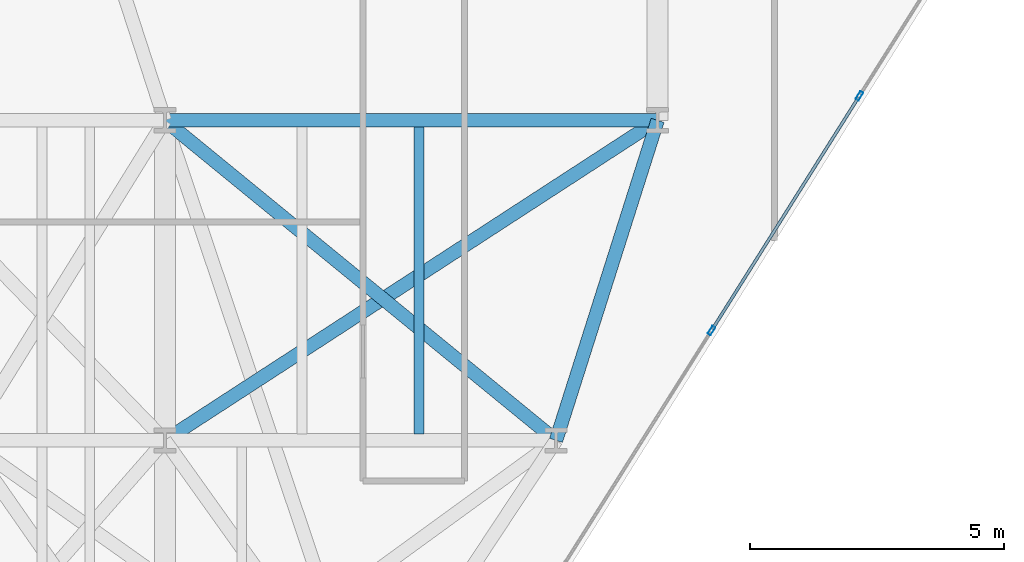
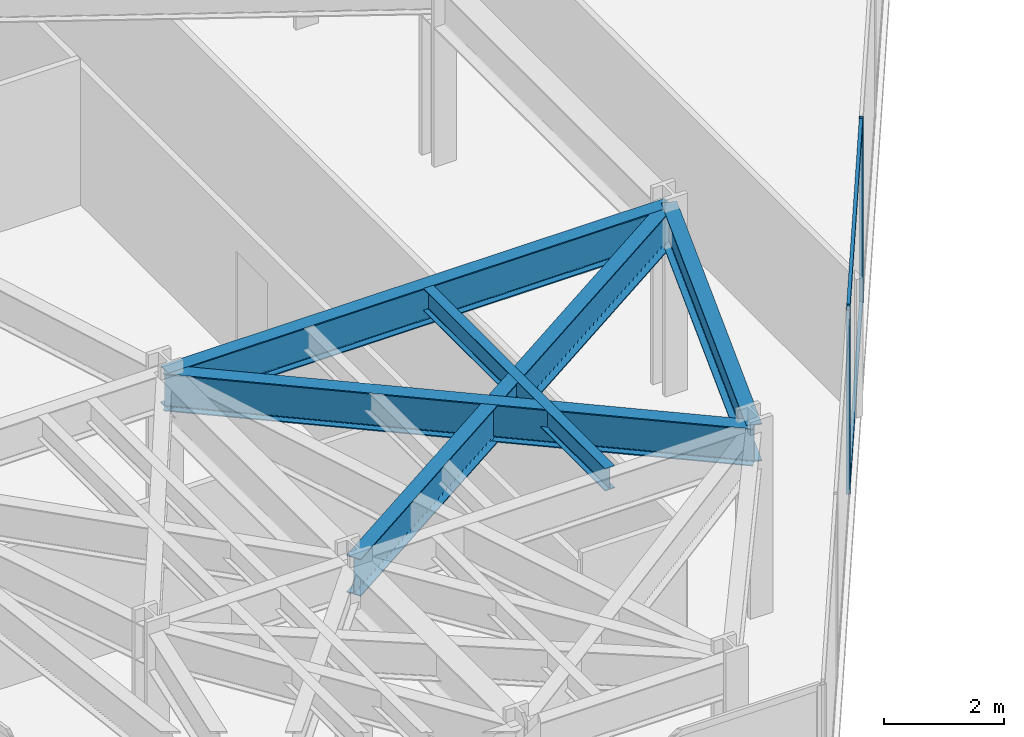
# One storey, part 6 of 25: 5 beams, 4 members, 1 element without a shape of its own.
"""IFC4 building model written with IfcOpenShell, lengths in metres."""

import ifcopenshell
import ifcopenshell.guid

model = None  # the IFC model being written
_history = None  # IfcOwnerHistory: only IFC2X3 demands one
_inside = {}  # id of a spatial element -> (the spatial element, [elements in it])
_under = {}  # id of a project, library or spatial element -> (it, [spatial elements below it])
_declared = {}  # id of a project -> (the project, [libraries it declares])
_typed = {}  # id of a type object -> (the type object, [elements of that type])
_made_of = {}  # id of a material, layer set ... -> (it, [elements and type objects made of it])


def new_model(schema):
    """Start an empty IFC model of exactly this schema.

    Asked for "IFC4X3", IfcOpenShell would pick the latest addendum, in which some entities
    have other attributes; the version numbers below select the first issue.
    IFC2X3 requires an IfcOwnerHistory on every rooted entity: one is made here for all.
    """
    global model, _history
    if schema == "IFC4X3":
        model = ifcopenshell.file(schema_version=(4, 3, 0, 0))
    else:
        model = ifcopenshell.file(schema=schema)
    _inside.clear()
    _under.clear()
    _declared.clear()
    _typed.clear()
    _made_of.clear()
    _history = None
    if model.schema == "IFC2X3":
        org = make("IfcOrganization", Name="unknown")
        user = make(
            "IfcPersonAndOrganization",
            ThePerson=make("IfcPerson", FamilyName="unknown"),
            TheOrganization=org,
        )
        app = make(
            "IfcApplication",
            ApplicationDeveloper=org,
            Version="unknown",
            ApplicationFullName="unknown",
            ApplicationIdentifier="unknown",
        )
        _history = make(
            "IfcOwnerHistory",
            OwningUser=user,
            OwningApplication=app,
            ChangeAction="ADDED",
            CreationDate=0,
        )
    return model


def make(cls, **values):
    """One entity of the class cls with the attributes given. An attribute that is None is left unset."""
    return model.create_entity(
        cls, **{name: value for name, value in values.items() if value is not None}
    )


def rooted(cls, **values):
    """An entity with a GlobalId (a new one), such as an element, a storey or a relation."""
    return make(cls, GlobalId=ifcopenshell.guid.new(), OwnerHistory=_history, **values)


def si_unit(unit_type, name, prefix=None):
    """IfcSIUnit, for example si_unit("LENGTHUNIT", "METRE", prefix="MILLI")."""
    return make("IfcSIUnit", UnitType=unit_type, Prefix=prefix, Name=name)


def assignment(units):
    """IfcUnitAssignment: the units of a project."""
    return None if units is None else make("IfcUnitAssignment", Units=units)


def point(xyz):
    """IfcCartesianPoint."""
    return None if xyz is None else make("IfcCartesianPoint", Coordinates=xyz)


def direction(xyz):
    """IfcDirection."""
    return None if xyz is None else make("IfcDirection", DirectionRatios=xyz)


def frame(location, z_axis=None, x_axis=None):
    """IfcAxis2Placement3D, a coordinate frame: its origin and axes. An axis left out is left unset."""
    return make(
        "IfcAxis2Placement3D",
        Location=point(location),
        Axis=direction(z_axis),
        RefDirection=direction(x_axis),
    )


def frame_2d(location, x_axis=None):
    """IfcAxis2Placement2D, a coordinate frame in the plane: its origin and x axis."""
    return make(
        "IfcAxis2Placement2D", Location=point(location), RefDirection=direction(x_axis)
    )


def origin():
    """The frame at (0, 0, 0) with its axes left unset."""
    return frame((0.0, 0.0, 0.0))


def origin_2d():
    """The frame at (0, 0) in the plane with its x axis left unset."""
    return frame_2d((0.0, 0.0))


def place(relative_to, where):
    """IfcLocalPlacement: puts the frame where relative to a parent placement (None: the world)."""
    return make(
        "IfcLocalPlacement", PlacementRelTo=relative_to, RelativePlacement=where
    )


def context(
    kind, dimensions, precision=None, world=None, true_north=None, identifier=None
):
    """IfcGeometricRepresentationContext, for example the 3D "Model" context."""
    return make(
        "IfcGeometricRepresentationContext",
        ContextIdentifier=identifier,
        ContextType=kind,
        CoordinateSpaceDimension=dimensions,
        Precision=precision,
        WorldCoordinateSystem=world,
        TrueNorth=true_north,
    )


def subcontext(parent, identifier, kind, view, scale=None):
    """IfcGeometricRepresentationSubContext, for example "Body" below "Model"."""
    return make(
        "IfcGeometricRepresentationSubContext",
        ContextIdentifier=identifier,
        ContextType=kind,
        ParentContext=parent,
        TargetScale=scale,
        TargetView=view,
    )


def project(units=None, contexts=None):
    """IfcProject with its units and contexts."""
    return rooted(
        "IfcProject",
        Name="project",
        RepresentationContexts=contexts,
        UnitsInContext=assignment(units),
    )


def spatial(cls, under=None, at=None, **own):
    """A site, building, storey or space (cls), placed at a placement, below another one or the project."""
    s = rooted(cls, ObjectPlacement=at, **own)
    if under is not None:
        _under.setdefault(under.id(), (under, []))[1].append(s)
    return s


def profile(cls, at=None, kind="AREA", **sizes):
    """A parametric profile (cls). Its sizes go by their IFC names, for example OverallWidth=200.0."""
    return make(cls, ProfileType=kind, Position=at, **sizes)


def hollow_rectangle(**sizes):
    """IfcRectangleHollowProfileDef."""
    return profile("IfcRectangleHollowProfileDef", **sizes)


def i_section(**sizes):
    """IfcIShapeProfileDef."""
    return profile("IfcIShapeProfileDef", **sizes)


def extrude(swept, where, along, depth):
    """IfcExtrudedAreaSolid: the profile swept, set in the frame where, extruded along a direction by depth."""
    return make(
        "IfcExtrudedAreaSolid",
        SweptArea=swept,
        Position=where,
        ExtrudedDirection=direction(along),
        Depth=depth,
    )


def shape(context_of_items, identifier, shape_type, items):
    """IfcShapeRepresentation: the items that make up one representation, for example the "Body"."""
    return make(
        "IfcShapeRepresentation",
        ContextOfItems=context_of_items,
        RepresentationIdentifier=identifier,
        RepresentationType=shape_type,
        Items=items,
    )


def material(Name=None, Category=None):
    """IfcMaterial."""
    return make("IfcMaterial", Name=Name, Category=Category)


def layer(
    of_material, thickness, ventilated=None, Name=None, Category=None, Priority=None
):
    """IfcMaterialLayer: one layer of a wall or slab, of a material (None: an air gap)."""
    return make(
        "IfcMaterialLayer",
        Material=of_material,
        LayerThickness=thickness,
        IsVentilated=ventilated,
        Name=Name,
        Category=Category,
        Priority=Priority,
    )


def layer_set(layers, Name=None):
    """IfcMaterialLayerSet."""
    return make("IfcMaterialLayerSet", MaterialLayers=layers, LayerSetName=Name)


def material_profile(
    of_material, cross_section, Name=None, Category=None, Priority=None
):
    """IfcMaterialProfile: a cross section and its material."""
    return make(
        "IfcMaterialProfile",
        Name=Name,
        Material=of_material,
        Profile=cross_section,
        Priority=Priority,
        Category=Category,
    )


def profile_set(profiles, Name=None, composite=None):
    """IfcMaterialProfileSet."""
    return make(
        "IfcMaterialProfileSet",
        Name=Name,
        MaterialProfiles=profiles,
        CompositeProfile=composite,
    )


def made_of(thing, what):
    """Note that an element or type object is made of a material, layer set ...; save() writes the relation."""
    if what is not None:
        _made_of.setdefault(what.id(), (what, []))[1].append(thing)
    return thing


def type_object(cls, material=None, **own):
    """A type object (cls), such as IfcWallType, which elements share."""
    return made_of(rooted(cls, **own), material)


def element(
    cls,
    number,
    at=None,
    inside=None,
    cuts=None,
    type_object=None,
    material=None,
    context=None,
    identifier="Body",
    shape_type=None,
    held_by="IfcProductDefinitionShape",
    body=None,
    shapes=None,
    **own,
):
    """One element of the class cls, such as IfcWall. Its Tag is "e" and its number.

    at: its placement. inside: the storey or other place that contains it. cuts: it is an
    opening in that element (IfcRelVoidsElement). A single representation is given by context,
    identifier, shape_type and body (its items); several are given by shapes. held_by: the class
    of the entity that holds the representations. save() writes the other relations.
    """
    e = rooted(cls, Tag="e%d" % number, ObjectPlacement=at, **own)
    if body is not None:
        shapes = [shape(context, identifier, shape_type, body)]
    if shapes is not None:
        e.Representation = make(held_by, Representations=shapes)
    if inside is not None:
        _inside.setdefault(inside.id(), (inside, []))[1].append(e)
    if cuts is not None:
        rooted(
            "IfcRelVoidsElement", RelatingBuildingElement=cuts, RelatedOpeningElement=e
        )
    if type_object is not None:
        _typed.setdefault(type_object.id(), (type_object, []))[1].append(e)
    return made_of(e, material)


def aggregate(whole, parts):
    """IfcRelAggregates: a whole, such as a stair, and the parts it consists of."""
    return rooted("IfcRelAggregates", RelatingObject=whole, RelatedObjects=parts)


def save(model, path):
    """Write the relations noted so far, then the file.

    IfcRelAggregates (storeys below a building ...), IfcRelContainedInSpatialStructure (elements
    in a storey), IfcRelDefinesByType, IfcRelAssociatesMaterial and IfcRelDeclares: one each for
    every whole, place, type object, material and project.
    """
    for whole, parts in _under.values():
        aggregate(whole, parts)
    for where, things in _inside.values():
        rooted(
            "IfcRelContainedInSpatialStructure",
            RelatedElements=things,
            RelatingStructure=where,
        )
    for kind, things in _typed.values():
        rooted("IfcRelDefinesByType", RelatedObjects=things, RelatingType=kind)
    for what, things in _made_of.values():
        rooted("IfcRelAssociatesMaterial", RelatedObjects=things, RelatingMaterial=what)
    for by, libraries in _declared.values():
        rooted("IfcRelDeclares", RelatingContext=by, RelatedDefinitions=libraries)
    model.write(path)


model = new_model("IFC4")

# Units and contexts
model_context = context("Model", 3, precision=1e-05, world=origin(), true_north=direction((0.0, 1.0)))
body_context = subcontext(model_context, "Body", "Model", "MODEL_VIEW")
ifc_project = project(units=[si_unit("LENGTHUNIT", "METRE"), si_unit("AREAUNIT", "SQUARE_METRE"), si_unit("VOLUMEUNIT", "CUBIC_METRE"), si_unit("PLANEANGLEUNIT", "RADIAN"), si_unit("MASSUNIT", "GRAM", prefix="KILO")], contexts=[model_context])

# Site, building, storey
site_placement = place(None, origin())
site = spatial("IfcSite", under=ifc_project, at=site_placement, CompositionType="ELEMENT")
building_placement = place(site_placement, origin())
building = spatial("IfcBuilding", under=site, at=building_placement, Name="Kravanh Interchange Tower", CompositionType="ELEMENT")
storey_placement = place(building_placement, frame((0.0, 0.0, 73.5)))
storey = spatial("IfcBuildingStorey", under=building, at=storey_placement, Name="L17", CompositionType="ELEMENT", Elevation=73.5)

# Curtain wall, members
ifc_material_1 = material(Name="Anodised Bronze Aluminium", Category="aluminium")
ifc_layer = layer(ifc_material_1, 0.179931640625)
ifc_layer_set = layer_set([ifc_layer], Name="Unitised Curtain Wall System CW-Z1 Lower Office")
curtain_wall_type = type_object("IfcCurtainWallType", Name="Unitised Curtain Wall System CW-Z1 Lower Office", PredefinedType="NOTDEFINED", material=ifc_layer_set)
curtain_wall_placement = place(storey_placement, origin())
curtain_wall = element("IfcCurtainWall", 1, at=curtain_wall_placement, inside=storey, type_object=curtain_wall_type, Name="L17 Unitised Curtain Wall CW-L17-05", PredefinedType="NOTDEFINED")
ifc_material_2 = material(Name="Anodised Bronze Aluminium", Category="aluminium")
ifc_material_profile_1 = material_profile(ifc_material_2, hollow_rectangle(XDim=0.070068359375, YDim=0.179931640625, WallThickness=0.00390625, at=origin_2d()), Name="ALU70X180X4")
ifc_profile_set_1 = profile_set([ifc_material_profile_1], Name="Anodised Bronze Aluminium")
member_type_1 = type_object("IfcMemberType", Name="Curtain Wall Mullion ALU70X180X4 Bronze", PredefinedType="MULLION", material=ifc_profile_set_1)
member_1_placement = place(storey_placement, frame((31.173583984375, 14.98291015625, 0.0), z_axis=(0.0, 0.0, 1.0), x_axis=(0.845925530786, -0.53330103728, 0.0)))
member_1 = element("IfcMember", 2, at=member_1_placement, type_object=member_type_1, Name="CW-Z1 mullion 3", PredefinedType="MULLION", context=body_context, shape_type="SweptSolid", body=[
    extrude(hollow_rectangle(XDim=0.070068359375, YDim=0.179931640625, WallThickness=0.00390625, at=origin_2d()), origin(), (0.0, 0.0, 1.0), 3.739990234375),
])
member_2_placement = place(storey_placement, frame((28.26025390625, 10.362060546875, 0.0), z_axis=(0.0, 0.0, 1.0), x_axis=(0.845925530786, -0.53330103728, 0.0)))
member_2 = element("IfcMember", 3, at=member_2_placement, type_object=member_type_1, Name="CW-Z1 mullion 4", PredefinedType="MULLION", context=body_context, shape_type="SweptSolid", body=[
    extrude(hollow_rectangle(XDim=0.070068359375, YDim=0.179931640625, WallThickness=0.00390625, at=origin_2d()), origin(), (0.0, 0.0, 1.0), 3.739990234375),
])
ifc_material_3 = material(Name="Anodised Bronze Aluminium", Category="aluminium")
ifc_material_profile_2 = material_profile(ifc_material_3, hollow_rectangle(XDim=0.06005859375, YDim=0.139892578125, WallThickness=0.00390625, at=origin_2d()), Name="ALU60X140X4")
ifc_profile_set_2 = profile_set([ifc_material_profile_2], Name="Anodised Bronze Aluminium")
member_type_2 = type_object("IfcMemberType", Name="Curtain Wall Transom ALU60X140X4 Bronze", PredefinedType="USERDEFINED", material=ifc_profile_set_2)
member_3_placement = place(storey_placement, frame((31.15478515625, 14.953369140625, 0.030029296875), z_axis=(-0.533279090152, -0.845939366626, 0.0), x_axis=(0.845939366626, -0.533279090152, 0.0)))
member_3 = element("IfcMember", 4, at=member_3_placement, type_object=member_type_2, Name="CW-Z1 transom 3.1", ObjectType="TRANSOM", PredefinedType="USERDEFINED", context=body_context, shape_type="SweptSolid", body=[
    extrude(hollow_rectangle(XDim=0.06005859375, YDim=0.139892578125, WallThickness=0.00390625, at=origin_2d()), origin(), (0.0, 0.0, 1.0), 5.392578125),
])
member_4_placement = place(storey_placement, frame((31.15478515625, 14.953369140625, 3.7099609375), z_axis=(-0.533279090152, -0.845939366626, 0.0), x_axis=(0.845939366626, -0.533279090152, 0.0)))
member_4 = element("IfcMember", 5, at=member_4_placement, type_object=member_type_2, Name="CW-Z1 transom 3.2", ObjectType="TRANSOM", PredefinedType="USERDEFINED", context=body_context, shape_type="SweptSolid", body=[
    extrude(hollow_rectangle(XDim=0.06005859375, YDim=0.139892578125, WallThickness=0.00390625, at=origin_2d()), origin(), (0.0, 0.0, 1.0), 5.392578125),
])
aggregate(curtain_wall, [member_1, member_2, member_3, member_4])

# Beams
ifc_material_4 = material(Name="Structural Steel S355", Category="steel")
ifc_material_profile_3 = material_profile(ifc_material_4, i_section(OverallWidth=0.18994140625, OverallDepth=0.45703125, WebThickness=0.009033203125, FlangeThickness=0.014404296875, FilletRadius=0.01806640625, at=origin_2d()), Name="W18X50")
ifc_profile_set_3 = profile_set([ifc_material_profile_3], Name="Structural Steel S355")
beam_type_1 = type_object("IfcBeamType", Name="Floor Joist W18X50 Structural Steel S355", PredefinedType="JOIST", material=ifc_profile_set_3)
beam_1_placement = place(storey_placement, frame((22.501953125, 8.32861328125, 3.511474609375), z_axis=(0.0, 1.0, 0.0), x_axis=(-1.0, 0.0, 0.0)))
element("IfcBeam", 6, at=beam_1_placement, inside=storey, type_object=beam_type_1, Name="L17 Secondary Floor Joist 10", PredefinedType="JOIST", context=body_context, shape_type="SweptSolid", body=[
    extrude(i_section(OverallWidth=0.18994140625, OverallDepth=0.45703125, WebThickness=0.009033203125, FlangeThickness=0.014404296875, FilletRadius=0.01806640625, at=origin_2d()), origin(), (0.0, 0.0, 1.0), 6.04296875),
])
ifc_material_5 = material(Name="Structural Steel S355", Category="steel")
ifc_material_profile_4 = material_profile(ifc_material_5, i_section(OverallWidth=0.26708984375, OverallDepth=0.761962890625, WebThickness=0.014404296875, FlangeThickness=0.021484375, FilletRadius=0.02490234375, at=origin_2d()), Name="W30X116")
ifc_profile_set_4 = profile_set([ifc_material_profile_4], Name="Structural Steel S355")
beam_type_2 = type_object("IfcBeamType", Name="Floor Spandrel W30X116 Structural Steel S355", PredefinedType="SPANDREL", material=ifc_profile_set_4)
beam_2_placement = place(storey_placement, frame((17.5, 8.199951171875, 3.35888671875), z_axis=(0.838637911458, 0.544689318295, 0.0), x_axis=(-0.544689318295, 0.838637911458, 0.0)))
element("IfcBeam", 7, at=beam_2_placement, inside=storey, type_object=beam_type_2, Name="L17 Perimeter Spandrel 139", PredefinedType="SPANDREL", context=body_context, shape_type="SweptSolid", body=[
    extrude(i_section(OverallWidth=0.26708984375, OverallDepth=0.761962890625, WebThickness=0.014404296875, FlangeThickness=0.021484375, FilletRadius=0.02490234375, at=origin_2d()), origin(), (0.0, 0.0, 1.0), 11.56640625),
])
beam_3_placement = place(storey_placement, frame((25.199951171875, 8.199951171875, 3.35888671875), z_axis=(0.30257700201, 0.953124943465, 0.0), x_axis=(-0.953124943465, 0.30257700201, 0.0)))
element("IfcBeam", 8, at=beam_3_placement, inside=storey, type_object=beam_type_2, Name="L17 Perimeter Spandrel 140", PredefinedType="SPANDREL", context=body_context, shape_type="SweptSolid", body=[
    extrude(i_section(OverallWidth=0.26708984375, OverallDepth=0.761962890625, WebThickness=0.014404296875, FlangeThickness=0.021484375, FilletRadius=0.02490234375, at=origin_2d()), origin(), (0.0, 0.0, 1.0), 6.60986328125),
])
beam_4_placement = place(storey_placement, frame((25.199951171875, 8.199951171875, 3.35888671875), z_axis=(-0.773952925799, 0.633243135491, 0.0), x_axis=(-0.633243135491, -0.773952925799, 0.0)))
element("IfcBeam", 9, at=beam_4_placement, inside=storey, type_object=beam_type_2, Name="L17 Perimeter Spandrel 141", PredefinedType="SPANDREL", context=body_context, shape_type="SweptSolid", body=[
    extrude(i_section(OverallWidth=0.26708984375, OverallDepth=0.761962890625, WebThickness=0.014404296875, FlangeThickness=0.021484375, FilletRadius=0.02490234375, at=origin_2d()), origin(), (0.0, 0.0, 1.0), 9.948974609375),
])
beam_5_placement = place(storey_placement, frame((17.5, 14.5, 3.35888671875), z_axis=(1.0, 0.0, 0.0), x_axis=(0.0, 1.0, 0.0)))
element("IfcBeam", 10, at=beam_5_placement, inside=storey, type_object=beam_type_2, Name="L17 Perimeter Spandrel 144", PredefinedType="SPANDREL", context=body_context, shape_type="SweptSolid", body=[
    extrude(i_section(OverallWidth=0.26708984375, OverallDepth=0.761962890625, WebThickness=0.014404296875, FlangeThickness=0.021484375, FilletRadius=0.02490234375, at=origin_2d()), origin(), (0.0, 0.0, 1.0), 9.699951171875),
])

save(model, "model.ifc")
